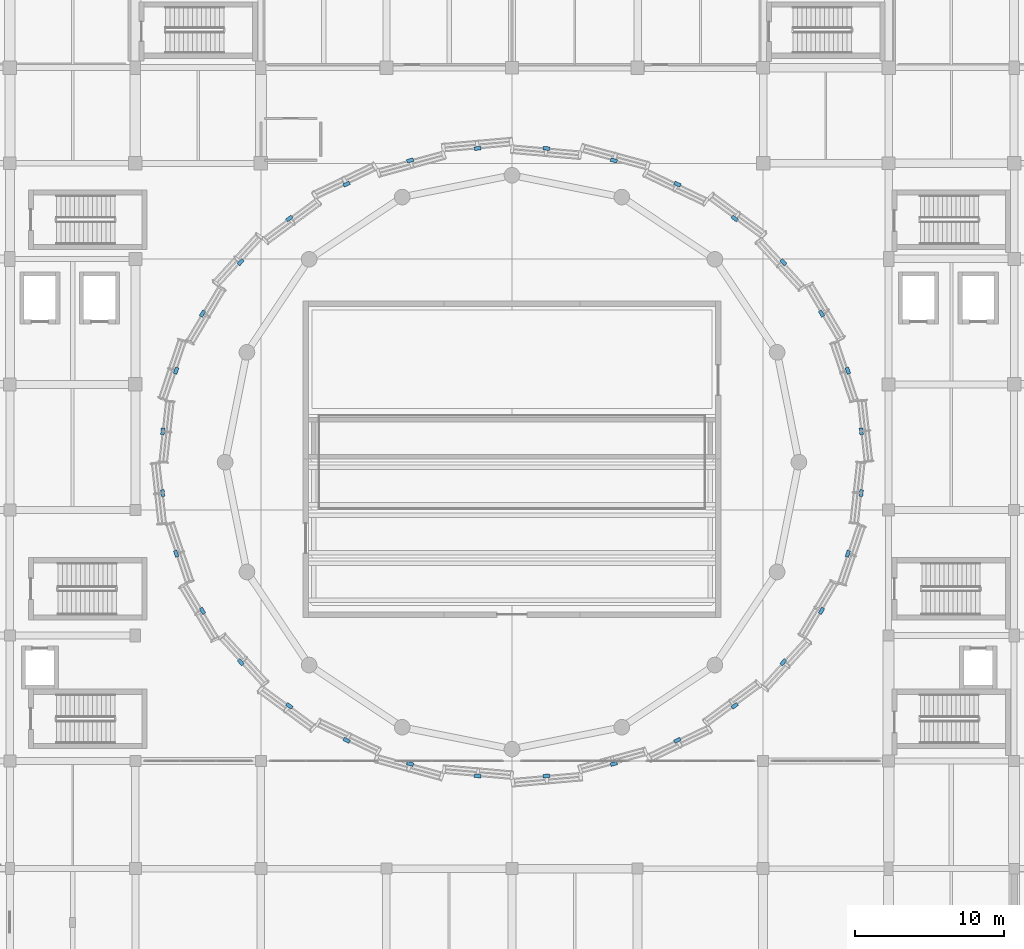
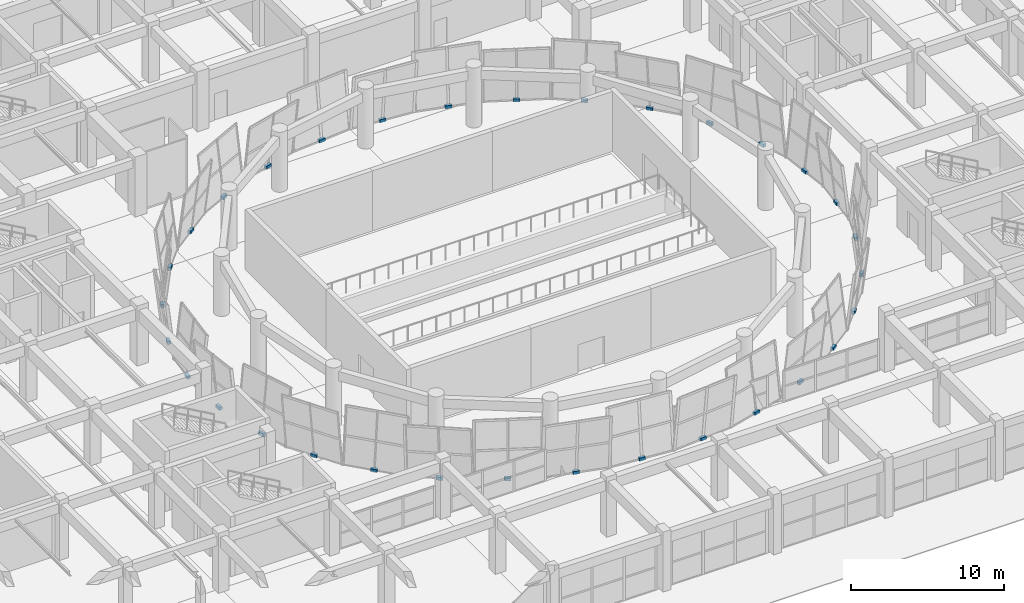
# One storey, part 56 of 72: 32 discrete accessories.
"""IFC4 building model written with IfcOpenShell, lengths in metres."""

import ifcopenshell
import ifcopenshell.guid

model = None  # the IFC model being written
_history = None  # IfcOwnerHistory: only IFC2X3 demands one
_inside = {}  # id of a spatial element -> (the spatial element, [elements in it])
_under = {}  # id of a project, library or spatial element -> (it, [spatial elements below it])
_declared = {}  # id of a project -> (the project, [libraries it declares])
_typed = {}  # id of a type object -> (the type object, [elements of that type])
_made_of = {}  # id of a material, layer set ... -> (it, [elements and type objects made of it])


def new_model(schema):
    """Start an empty IFC model of exactly this schema.

    Asked for "IFC4X3", IfcOpenShell would pick the latest addendum, in which some entities
    have other attributes; the version numbers below select the first issue.
    IFC2X3 requires an IfcOwnerHistory on every rooted entity: one is made here for all.
    """
    global model, _history
    if schema == "IFC4X3":
        model = ifcopenshell.file(schema_version=(4, 3, 0, 0))
    else:
        model = ifcopenshell.file(schema=schema)
    _inside.clear()
    _under.clear()
    _declared.clear()
    _typed.clear()
    _made_of.clear()
    _history = None
    if model.schema == "IFC2X3":
        org = make("IfcOrganization", Name="unknown")
        user = make(
            "IfcPersonAndOrganization",
            ThePerson=make("IfcPerson", FamilyName="unknown"),
            TheOrganization=org,
        )
        app = make(
            "IfcApplication",
            ApplicationDeveloper=org,
            Version="unknown",
            ApplicationFullName="unknown",
            ApplicationIdentifier="unknown",
        )
        _history = make(
            "IfcOwnerHistory",
            OwningUser=user,
            OwningApplication=app,
            ChangeAction="ADDED",
            CreationDate=0,
        )
    return model


def make(cls, **values):
    """One entity of the class cls with the attributes given. An attribute that is None is left unset."""
    return model.create_entity(
        cls, **{name: value for name, value in values.items() if value is not None}
    )


def rooted(cls, **values):
    """An entity with a GlobalId (a new one), such as an element, a storey or a relation."""
    return make(cls, GlobalId=ifcopenshell.guid.new(), OwnerHistory=_history, **values)


def si_unit(unit_type, name, prefix=None):
    """IfcSIUnit, for example si_unit("LENGTHUNIT", "METRE", prefix="MILLI")."""
    return make("IfcSIUnit", UnitType=unit_type, Prefix=prefix, Name=name)


def assignment(units):
    """IfcUnitAssignment: the units of a project."""
    return None if units is None else make("IfcUnitAssignment", Units=units)


def point(xyz):
    """IfcCartesianPoint."""
    return None if xyz is None else make("IfcCartesianPoint", Coordinates=xyz)


def direction(xyz):
    """IfcDirection."""
    return None if xyz is None else make("IfcDirection", DirectionRatios=xyz)


def frame(location, z_axis=None, x_axis=None):
    """IfcAxis2Placement3D, a coordinate frame: its origin and axes. An axis left out is left unset."""
    return make(
        "IfcAxis2Placement3D",
        Location=point(location),
        Axis=direction(z_axis),
        RefDirection=direction(x_axis),
    )


def frame_2d(location, x_axis=None):
    """IfcAxis2Placement2D, a coordinate frame in the plane: its origin and x axis."""
    return make(
        "IfcAxis2Placement2D", Location=point(location), RefDirection=direction(x_axis)
    )


def origin():
    """The frame at (0, 0, 0) with its axes left unset."""
    return frame((0.0, 0.0, 0.0))


def origin_2d():
    """The frame at (0, 0) in the plane with its x axis left unset."""
    return frame_2d((0.0, 0.0))


def place(relative_to, where):
    """IfcLocalPlacement: puts the frame where relative to a parent placement (None: the world)."""
    return make(
        "IfcLocalPlacement", PlacementRelTo=relative_to, RelativePlacement=where
    )


def context(
    kind, dimensions, precision=None, world=None, true_north=None, identifier=None
):
    """IfcGeometricRepresentationContext, for example the 3D "Model" context."""
    return make(
        "IfcGeometricRepresentationContext",
        ContextIdentifier=identifier,
        ContextType=kind,
        CoordinateSpaceDimension=dimensions,
        Precision=precision,
        WorldCoordinateSystem=world,
        TrueNorth=true_north,
    )


def subcontext(parent, identifier, kind, view, scale=None):
    """IfcGeometricRepresentationSubContext, for example "Body" below "Model"."""
    return make(
        "IfcGeometricRepresentationSubContext",
        ContextIdentifier=identifier,
        ContextType=kind,
        ParentContext=parent,
        TargetScale=scale,
        TargetView=view,
    )


def project(units=None, contexts=None):
    """IfcProject with its units and contexts."""
    return rooted(
        "IfcProject",
        Name="project",
        RepresentationContexts=contexts,
        UnitsInContext=assignment(units),
    )


def spatial(cls, under=None, at=None, **own):
    """A site, building, storey or space (cls), placed at a placement, below another one or the project."""
    s = rooted(cls, ObjectPlacement=at, **own)
    if under is not None:
        _under.setdefault(under.id(), (under, []))[1].append(s)
    return s


def profile(cls, at=None, kind="AREA", **sizes):
    """A parametric profile (cls). Its sizes go by their IFC names, for example OverallWidth=200.0."""
    return make(cls, ProfileType=kind, Position=at, **sizes)


def rectangle(**sizes):
    """IfcRectangleProfileDef."""
    return profile("IfcRectangleProfileDef", **sizes)


def extrude(swept, where, along, depth):
    """IfcExtrudedAreaSolid: the profile swept, set in the frame where, extruded along a direction by depth."""
    return make(
        "IfcExtrudedAreaSolid",
        SweptArea=swept,
        Position=where,
        ExtrudedDirection=direction(along),
        Depth=depth,
    )


def shape(context_of_items, identifier, shape_type, items):
    """IfcShapeRepresentation: the items that make up one representation, for example the "Body"."""
    return make(
        "IfcShapeRepresentation",
        ContextOfItems=context_of_items,
        RepresentationIdentifier=identifier,
        RepresentationType=shape_type,
        Items=items,
    )


def material(Name=None, Category=None):
    """IfcMaterial."""
    return make("IfcMaterial", Name=Name, Category=Category)


def made_of(thing, what):
    """Note that an element or type object is made of a material, layer set ...; save() writes the relation."""
    if what is not None:
        _made_of.setdefault(what.id(), (what, []))[1].append(thing)
    return thing


def type_object(cls, material=None, **own):
    """A type object (cls), such as IfcWallType, which elements share."""
    return made_of(rooted(cls, **own), material)


def element(
    cls,
    number,
    at=None,
    inside=None,
    cuts=None,
    type_object=None,
    material=None,
    context=None,
    identifier="Body",
    shape_type=None,
    held_by="IfcProductDefinitionShape",
    body=None,
    shapes=None,
    **own,
):
    """One element of the class cls, such as IfcWall. Its Tag is "e" and its number.

    at: its placement. inside: the storey or other place that contains it. cuts: it is an
    opening in that element (IfcRelVoidsElement). A single representation is given by context,
    identifier, shape_type and body (its items); several are given by shapes. held_by: the class
    of the entity that holds the representations. save() writes the other relations.
    """
    e = rooted(cls, Tag="e%d" % number, ObjectPlacement=at, **own)
    if body is not None:
        shapes = [shape(context, identifier, shape_type, body)]
    if shapes is not None:
        e.Representation = make(held_by, Representations=shapes)
    if inside is not None:
        _inside.setdefault(inside.id(), (inside, []))[1].append(e)
    if cuts is not None:
        rooted(
            "IfcRelVoidsElement", RelatingBuildingElement=cuts, RelatedOpeningElement=e
        )
    if type_object is not None:
        _typed.setdefault(type_object.id(), (type_object, []))[1].append(e)
    return made_of(e, material)


def aggregate(whole, parts):
    """IfcRelAggregates: a whole, such as a stair, and the parts it consists of."""
    return rooted("IfcRelAggregates", RelatingObject=whole, RelatedObjects=parts)


def save(model, path):
    """Write the relations noted so far, then the file.

    IfcRelAggregates (storeys below a building ...), IfcRelContainedInSpatialStructure (elements
    in a storey), IfcRelDefinesByType, IfcRelAssociatesMaterial and IfcRelDeclares: one each for
    every whole, place, type object, material and project.
    """
    for whole, parts in _under.values():
        aggregate(whole, parts)
    for where, things in _inside.values():
        rooted(
            "IfcRelContainedInSpatialStructure",
            RelatedElements=things,
            RelatingStructure=where,
        )
    for kind, things in _typed.values():
        rooted("IfcRelDefinesByType", RelatedObjects=things, RelatingType=kind)
    for what, things in _made_of.values():
        rooted("IfcRelAssociatesMaterial", RelatedObjects=things, RelatingMaterial=what)
    for by, libraries in _declared.values():
        rooted("IfcRelDeclares", RelatingContext=by, RelatedDefinitions=libraries)
    model.write(path)


model = new_model("IFC4")

# Units and contexts
model_context = context("Model", 3, precision=1e-05, world=origin(), true_north=direction((0.0, 1.0)))
body_context = subcontext(model_context, "Body", "Model", "MODEL_VIEW")
ifc_project = project(units=[si_unit("LENGTHUNIT", "METRE"), si_unit("AREAUNIT", "SQUARE_METRE"), si_unit("VOLUMEUNIT", "CUBIC_METRE"), si_unit("PLANEANGLEUNIT", "RADIAN"), si_unit("MASSUNIT", "GRAM", prefix="KILO")], contexts=[model_context])

# Site, building, storey
site_placement = place(None, origin())
site = spatial("IfcSite", under=ifc_project, at=site_placement, CompositionType="ELEMENT")
building_placement = place(site_placement, origin())
building = spatial("IfcBuilding", under=site, at=building_placement, Name="Korsvaeld Concert Hall", CompositionType="ELEMENT")
storey_placement = place(building_placement, origin())
storey = spatial("IfcBuildingStorey", under=building, at=storey_placement, Name="L00", CompositionType="ELEMENT", Elevation=0.0)

# Discrete accessories
ifc_material = material(Name="Steel S355J2", Category="steel")
discrete_accessory_type = type_object("IfcDiscreteAccessoryType", Name="ACC-BRACKET-CW", PredefinedType="BRACKET", material=ifc_material)
for number, where, z_axis, x_axis, name in (
    (1, (107.373291015625, 65.267822265625, -0.0400390625), (0.0, 0.0, 1.0), (-0.109040368753, 0.994037322228, 0.0), "Crystal shell base anchor bracket L00 F01"),
    (2, (106.47509765625, 69.324462890625, -0.0400390625), (0.0, 0.0, 1.0), (-0.319951634986, 0.947433876991, 0.0), "Crystal shell base anchor bracket L00 F02"),
    (3, (104.713134765625, 73.1455078125, -0.0400390625), (0.0, 0.0, 1.0), (-0.511293086077, 0.859406411501, 0.0), "Crystal shell base anchor bracket L00 F03"),
    (4, (102.1552734375, 76.58447265625, -0.0400390625), (0.0, 0.0, 1.0), (-0.674431262084, 0.738337641411, 0.0), "Crystal shell base anchor bracket L00 F04"),
    (5, (98.899658203125, 79.5087890625, -0.0400390625), (0.0, 0.0, 1.0), (-0.804893797356, 0.593418886604, 0.0), "Crystal shell base anchor bracket L00 F05"),
    (6, (95.0712890625, 81.806640625, -0.0400390625), (0.0, 0.0, 1.0), (-0.901455117112, 0.43287258152, 0.0), "Crystal shell base anchor bracket L00 F06"),
    (7, (90.817626953125, 83.389404296875, -0.0400390625), (0.0, 0.0, 1.0), (-0.964833216741, 0.262862823299, 0.0), "Crystal shell base anchor bracket L00 F07"),
    (8, (86.302001953125, 84.1962890625, -0.0400390625), (0.0, 0.0, 1.0), (-0.996102882603, 0.088198907417, 0.0), "Crystal shell base anchor bracket L00 F08"),
    (9, (81.697998046875, 84.1962890625, -0.0400390625), (0.0, 0.0, 1.0), (-0.996102882603, -0.088198907417, 0.0), "Crystal shell base anchor bracket L00 F09"),
    (10, (77.182373046875, 83.389404296875, -0.0400390625), (0.0, 0.0, 1.0), (-0.964833216741, -0.262862823299, 0.0), "Crystal shell base anchor bracket L00 F10"),
    (11, (72.9287109375, 81.806640625, -0.0400390625), (0.0, 0.0, 1.0), (-0.901455117112, -0.43287258152, 0.0), "Crystal shell base anchor bracket L00 F11"),
    (12, (69.100341796875, 79.5087890625, -0.0400390625), (0.0, 0.0, 1.0), (-0.804893797356, -0.593418886604, 0.0), "Crystal shell base anchor bracket L00 F12"),
    (13, (65.8447265625, 76.58447265625, -0.0400390625), (0.0, 0.0, 1.0), (-0.674431262084, -0.738337641411, 0.0), "Crystal shell base anchor bracket L00 F13"),
    (14, (63.286865234375, 73.1455078125, -0.0400390625), (0.0, 0.0, 1.0), (-0.511293086077, -0.859406411501, 0.0), "Crystal shell base anchor bracket L00 F14"),
    (15, (61.52490234375, 69.324462890625, -0.0400390625), (0.0, 0.0, 1.0), (-0.319951634986, -0.947433876991, 0.0), "Crystal shell base anchor bracket L00 F15"),
    (16, (60.626708984375, 65.267822265625, -0.0400390625), (0.0, 0.0, 1.0), (-0.109040368753, -0.994037322228, 0.0), "Crystal shell base anchor bracket L00 F16"),
    (17, (60.626708984375, 61.132080078125, -0.0400390625), (0.0, 0.0, 1.0), (0.109040368753, -0.994037322228, 0.0), "Crystal shell base anchor bracket L00 F17"),
    (18, (61.52490234375, 57.07568359375, -0.0400390625), (0.0, 0.0, 1.0), (0.319951634986, -0.947433876991, 0.0), "Crystal shell base anchor bracket L00 F18"),
    (19, (63.286865234375, 53.25439453125, -0.0400390625), (0.0, 0.0, 1.0), (0.511293086077, -0.859406411501, 0.0), "Crystal shell base anchor bracket L00 F19"),
    (20, (65.8447265625, 49.815673828125, -0.0400390625), (0.0, 0.0, 1.0), (0.674431262084, -0.738337641411, 0.0), "Crystal shell base anchor bracket L00 F20"),
    (21, (69.100341796875, 46.89111328125, -0.0400390625), (0.0, 0.0, 1.0), (0.804893797356, -0.593418886604, 0.0), "Crystal shell base anchor bracket L00 F21"),
    (22, (72.9287109375, 44.59326171875, -0.0400390625), (0.0, 0.0, 1.0), (0.901455117112, -0.43287258152, 0.0), "Crystal shell base anchor bracket L00 F22"),
    (23, (77.182373046875, 43.010498046875, -0.0400390625), (0.0, 0.0, 1.0), (0.964833216741, -0.262862823299, 0.0), "Crystal shell base anchor bracket L00 F23"),
    (24, (81.697998046875, 42.20361328125, -0.0400390625), (0.0, 0.0, 1.0), (0.996102882603, -0.088198907417, 0.0), "Crystal shell base anchor bracket L00 F24"),
    (25, (86.302001953125, 42.20361328125, -0.0400390625), (0.0, 0.0, 1.0), (0.996102882603, 0.088198907417, 0.0), "Crystal shell base anchor bracket L00 F25"),
    (26, (90.817626953125, 43.010498046875, -0.0400390625), (0.0, 0.0, 1.0), (0.964833216741, 0.262862823299, 0.0), "Crystal shell base anchor bracket L00 F26"),
    (27, (95.0712890625, 44.59326171875, -0.0400390625), (0.0, 0.0, 1.0), (0.901455117112, 0.43287258152, 0.0), "Crystal shell base anchor bracket L00 F27"),
    (28, (98.899658203125, 46.89111328125, -0.0400390625), (0.0, 0.0, 1.0), (0.804893797356, 0.593418886604, 0.0), "Crystal shell base anchor bracket L00 F28"),
    (29, (102.1552734375, 49.815673828125, -0.0400390625), (0.0, 0.0, 1.0), (0.674431262084, 0.738337641411, 0.0), "Crystal shell base anchor bracket L00 F29"),
    (30, (104.713134765625, 53.25439453125, -0.0400390625), (0.0, 0.0, 1.0), (0.511293086077, 0.859406411501, 0.0), "Crystal shell base anchor bracket L00 F30"),
    (31, (106.47509765625, 57.07568359375, -0.0400390625), (0.0, 0.0, 1.0), (0.319951634986, 0.947433876991, 0.0), "Crystal shell base anchor bracket L00 F31"),
    (32, (107.373291015625, 61.132080078125, -0.0400390625), (0.0, 0.0, 1.0), (0.109040368753, 0.994037322228, 0.0), "Crystal shell base anchor bracket L00 F32"),
):
    element("IfcDiscreteAccessory", number, at=place(storey_placement, frame(where, z_axis=z_axis, x_axis=x_axis)), inside=storey, type_object=discrete_accessory_type, Name=name, PredefinedType="BRACKET", context=body_context, shape_type="SweptSolid", body=[
        extrude(rectangle(XDim=0.449951171875, YDim=0.239990234375, at=origin_2d()), origin(), (0.0, 0.0, 1.0), 0.239990234375),
    ])

save(model, "model.ifc")
